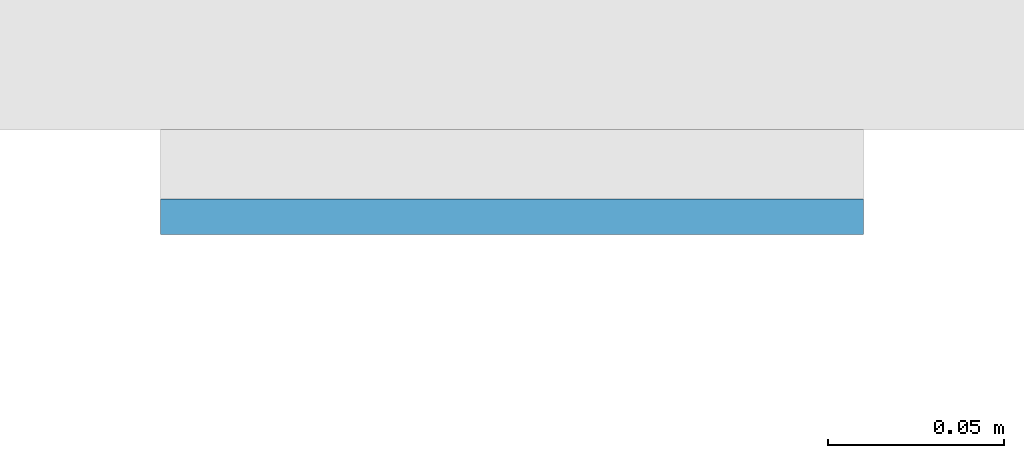
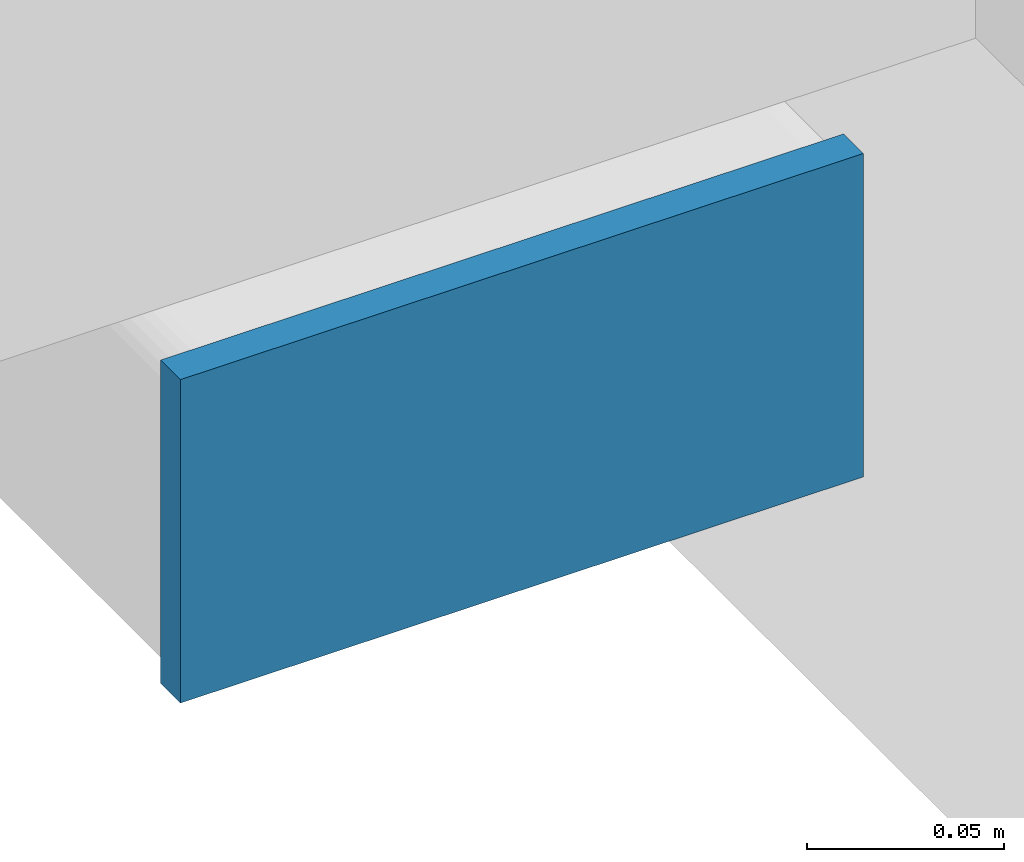
# One storey, part 8 of 21: 1 plate.
"""IFC4 building model written with IfcOpenShell, lengths in metres."""

from ifc_helpers import new_model, si_unit, direction, frame, origin, origin_2d, place, context, subcontext, project, spatial, rectangle, extrude, material, layer, layer_set, type_object, element, save


model = new_model("IFC4")

# Units and contexts
model_context = context("Model", 3, precision=1e-05, world=origin(), true_north=direction((0.0, 1.0)))
body_context = subcontext(model_context, "Body", "Model", "MODEL_VIEW")
ifc_project = project(units=[si_unit("LENGTHUNIT", "METRE"), si_unit("AREAUNIT", "SQUARE_METRE"), si_unit("VOLUMEUNIT", "CUBIC_METRE"), si_unit("PLANEANGLEUNIT", "RADIAN"), si_unit("MASSUNIT", "GRAM", prefix="KILO")], contexts=[model_context])

# Site, building, storey
site_placement = place(None, origin())
site = spatial("IfcSite", under=ifc_project, at=site_placement, CompositionType="ELEMENT")
building_placement = place(site_placement, origin())
building = spatial("IfcBuilding", under=site, at=building_placement, Name="Cleftline Residences", CompositionType="ELEMENT")
storey_placement = place(building_placement, frame((0.0, 0.0, 128.60009765625)))
storey = spatial("IfcBuildingStorey", under=building, at=storey_placement, Name="L33", CompositionType="ELEMENT", Elevation=128.60009765625)

# Plate
ifc_material = material(Name="Steel S355, hot-dip galvanised", Category="steel")
ifc_layer = layer(ifc_material, 0.010009765625)
ifc_layer_set = layer_set([ifc_layer], Name="BAGUETTE CARRIER END PLATE 200X100X10")
plate_type = type_object("IfcPlateType", Name="BAGUETTE CARRIER END PLATE 200X100X10", PredefinedType="USERDEFINED", material=ifc_layer_set)
plate_placement = place(storey_placement, frame((-0.85009765625, 3.695068359375, -0.10009765625), z_axis=(0.0, 0.0, 1.0), x_axis=(-1.0, 0.0, 0.0)))
element("IfcPlate", 1, at=plate_placement, inside=storey, type_object=plate_type, Name="Baguette carrier end plate", ObjectType="BAGUETTE CARRIER END PLATE", PredefinedType="USERDEFINED", context=body_context, shape_type="SweptSolid", body=[
    extrude(rectangle(XDim=0.199951171875, YDim=0.010009765625, at=origin_2d()), origin(), (0.0, 0.0, 1.0), 0.10009765625),
])

save(model, "model.ifc")
